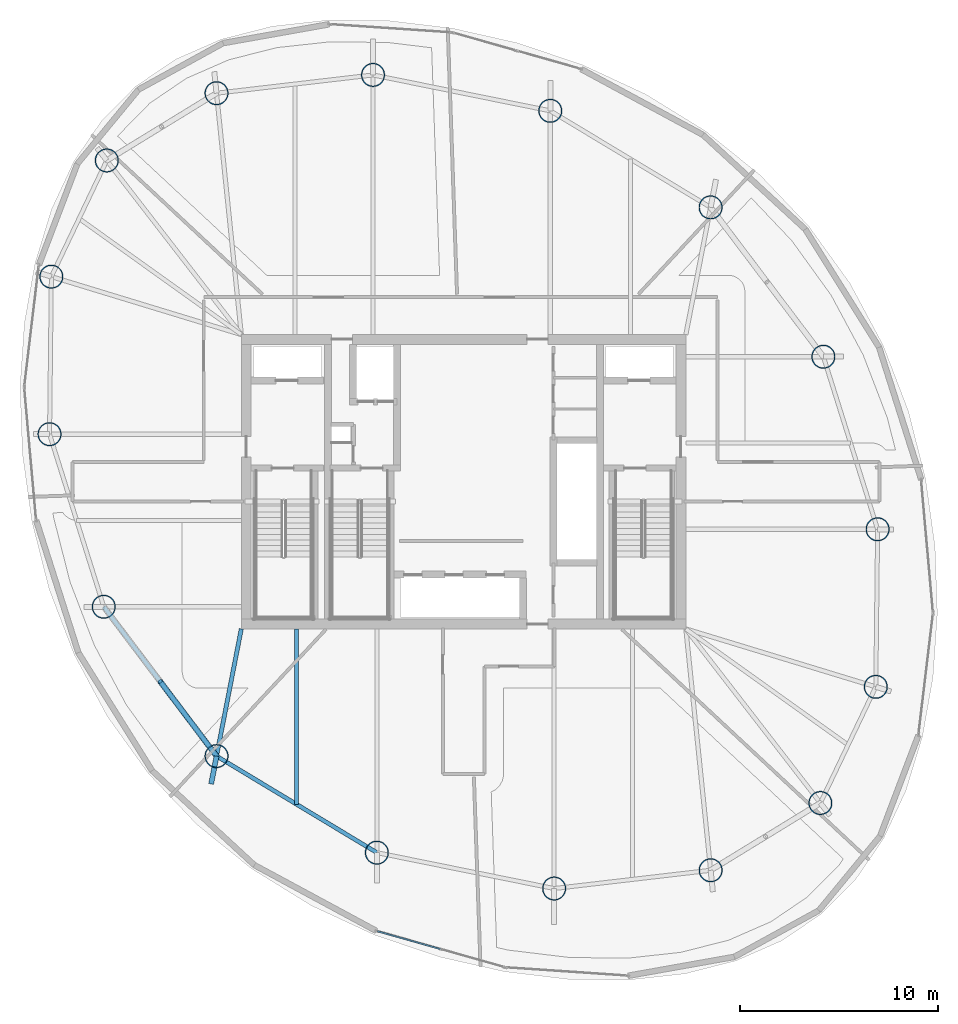
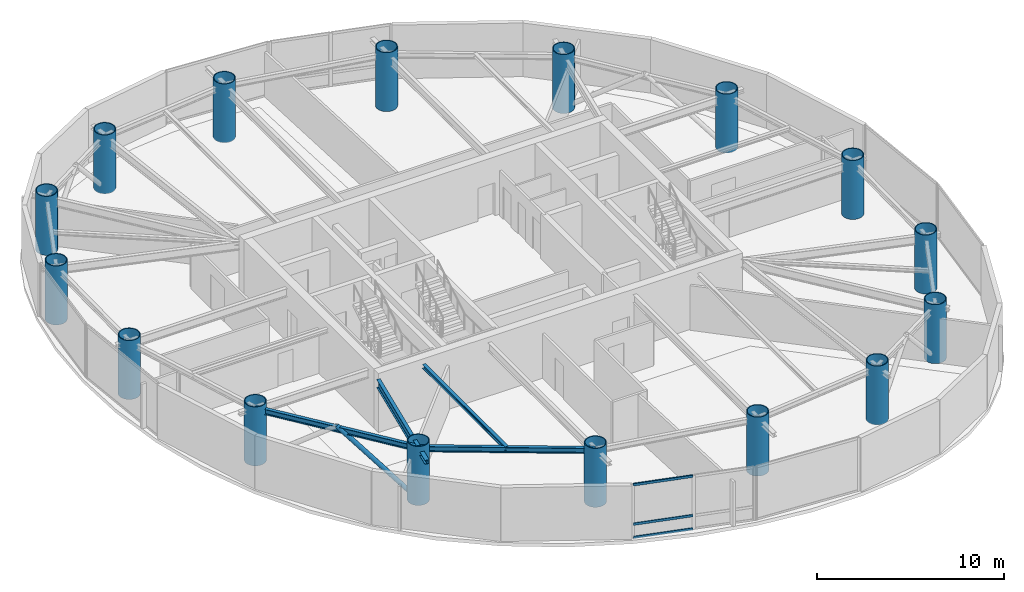
# One storey, part 1 of 18: 16 columns, 5 beams, 4 members, 1 element without a shape of its own.
"""IFC4 building model written with IfcOpenShell, lengths in metres."""

from ifc_helpers import new_model, si_unit, direction, frame, origin, origin_2d, place, context, subcontext, project, spatial, hollow_rectangle, hollow_circle, i_section, extrude, material, layer, layer_set, material_profile, profile_set, type_object, element, aggregate, save


model = new_model("IFC4")

# Units and contexts
model_context = context("Model", 3, precision=1e-05, world=origin(), true_north=direction((0.0, 1.0)))
body_context = subcontext(model_context, "Body", "Model", "MODEL_VIEW")
ifc_project = project(units=[si_unit("LENGTHUNIT", "METRE"), si_unit("AREAUNIT", "SQUARE_METRE"), si_unit("VOLUMEUNIT", "CUBIC_METRE"), si_unit("PLANEANGLEUNIT", "RADIAN"), si_unit("MASSUNIT", "GRAM", prefix="KILO")], contexts=[model_context])

# Site, building, storey
site_placement = place(None, origin())
site = spatial("IfcSite", under=ifc_project, at=site_placement, CompositionType="ELEMENT")
building_placement = place(site_placement, origin())
building = spatial("IfcBuilding", under=site, at=building_placement, Name="Bramvorn Convention Spire", CompositionType="ELEMENT")
storey_placement = place(building_placement, frame((0.0, 0.0, 232.800048828125)))
storey = spatial("IfcBuildingStorey", under=building, at=storey_placement, Name="L59", CompositionType="ELEMENT", Elevation=232.800048828125)

# Columns
ifc_material_1 = material(Name="Steel CSA G40.21 Grade 350 (350W)", Category="steel")
ifc_material_profile_1 = material_profile(ifc_material_1, hollow_circle(Radius=0.60009765625, WallThickness=0.050048828125, at=origin_2d()))
ifc_profile_set_1 = profile_set([ifc_material_profile_1], Name="Steel CSA G40.21 Grade 350 (350W) - CFT1200X50")
column_type = type_object("IfcColumnType", Name="COL-CFT1200X50", PredefinedType="COLUMN", material=ifc_profile_set_1)
for number, where, z_axis, x_axis, name in (
    (1, (56.058349609375, 9.739990234375, 0.0), (0.0, 0.0, 1.0), (1.0, 0.0, 0.0), "L59 composite CFT mega-column MC01"),
    (2, (58.863037109375, 15.619384765625, 0.0), (0.0, 0.0, 1.0), (1.0, 0.0, 0.0), "L59 composite CFT mega-column MC02"),
    (3, (58.95458984375, 23.593505859375, 0.0), (0.0, 0.0, 1.0), (1.0, 0.0, 0.0), "L59 composite CFT mega-column MC03"),
    (4, (56.21044921875, 32.327392578125, 0.0), (0.0, 0.0, 1.0), (1.0, 0.0, 0.0), "L59 composite CFT mega-column MC04"),
    (5, (50.501953125, 39.885009765625, 0.0), (0.0, 0.0, 1.0), (1.0, 0.0, 0.0), "L59 composite CFT mega-column MC05"),
    (6, (42.38916015625, 44.772216796875, 0.0), (0.0, 0.0, 1.0), (1.0, 0.0, 0.0), "L59 composite CFT mega-column MC06"),
    (7, (33.416259765625, 46.58837890625, 0.0), (0.0, 0.0, 1.0), (1.0, 0.0, 0.0), "L59 composite CFT mega-column MC07"),
    (8, (25.49560546875, 45.663818359375, 0.0), (0.0, 0.0, 1.0), (1.0, 0.0, 0.0), "L59 composite CFT mega-column MC08"),
    (9, (19.941650390625, 42.260009765625, 0.0), (0.0, 0.0, 1.0), (1.0, 0.0, 0.0), "L59 composite CFT mega-column MC09"),
    (10, (17.136962890625, 36.380615234375, 0.0), (0.0, 0.0, 1.0), (1.0, 0.0, 0.0), "L59 composite CFT mega-column MC10"),
    (11, (17.04541015625, 28.406494140625, 0.0), (0.0, 0.0, 1.0), (1.0, 0.0, 0.0), "L59 composite CFT mega-column MC11"),
    (12, (19.78955078125, 19.672607421875, 0.0), (0.0, 0.0, 1.0), (1.0, 0.0, 0.0), "L59 composite CFT mega-column MC12"),
    (13, (25.498046875, 12.114990234375, 0.0), (0.0, 0.0, 1.0), (1.0, 0.0, 0.0), "L59 composite CFT mega-column MC13"),
    (14, (33.61083984375, 7.227783203125, 0.0), (0.0, 0.0, 1.0), (1.0, 0.0, 0.0), "L59 composite CFT mega-column MC14"),
    (15, (42.583740234375, 5.41162109375, 0.0), (0.0, 0.0, 1.0), (1.0, 0.0, 0.0), "L59 composite CFT mega-column MC15"),
    (16, (50.50439453125, 6.336181640625, 0.0), (0.0, 0.0, 1.0), (1.0, 0.0, 0.0), "L59 composite CFT mega-column MC16"),
):
    element("IfcColumn", number, at=place(storey_placement, frame(where, z_axis=z_axis, x_axis=x_axis)), inside=storey, type_object=column_type, Name=name, PredefinedType="COLUMN", context=body_context, shape_type="SweptSolid", body=[
        extrude(hollow_circle(Radius=0.60009765625, WallThickness=0.050048828125, at=origin_2d()), origin(), (0.0, 0.0, 1.0), 3.849853515625),
    ])

# Beams
ifc_material_profile_2 = material_profile(ifc_material_1, i_section(OverallWidth=0.201904296875, OverallDepth=0.2470703125, WebThickness=0.00732421875, FlangeThickness=0.010986328125, FilletRadius=0.011962890625, at=origin_2d()))
ifc_profile_set_2 = profile_set([ifc_material_profile_2], Name="Steel CSA G40.21 Grade 350 (350W) - W250X49")
beam_type_1 = type_object("IfcBeamType", Name="BM-W250X49", PredefinedType="JOIST", material=ifc_profile_set_2)
beam_1_placement = place(storey_placement, frame((29.554443359375, 18.550048828125, 3.37646484375), z_axis=(0.0, -1.0, 0.0), x_axis=(1.0, 0.0, 0.0)))
element("IfcBeam", 17, at=beam_1_placement, inside=storey, type_object=beam_type_1, Name="L59 composite floor joist 13", PredefinedType="JOIST", context=body_context, shape_type="SweptSolid", body=[
    extrude(i_section(OverallWidth=0.201904296875, OverallDepth=0.2470703125, WebThickness=0.00732421875, FlangeThickness=0.010986328125, FilletRadius=0.011962890625, at=origin_2d()), origin(), (0.0, 0.0, 1.0), 8.878662109375),
])
ifc_material_profile_3 = material_profile(ifc_material_1, i_section(OverallWidth=0.25390625, OverallDepth=0.2529296875, WebThickness=0.008544921875, FlangeThickness=0.01416015625, FilletRadius=0.011962890625, at=origin_2d()))
ifc_profile_set_3 = profile_set([ifc_material_profile_3], Name="Steel CSA G40.21 Grade 350 (350W) - W250X73")
beam_type_2 = type_object("IfcBeamType", Name="BM-W250X73", PredefinedType="BEAM", material=ifc_profile_set_3)
beam_2_placement = place(storey_placement, frame((25.498046875, 12.114990234375, 3.37353515625), z_axis=(-0.19108332694, -0.98157381901, 0.0), x_axis=(0.98157381901, -0.19108332694, 0.0)))
element("IfcBeam", 18, at=beam_2_placement, inside=storey, type_object=beam_type_2, Name="L59 slab-edge cantilever tip beam MC13", PredefinedType="BEAM", context=body_context, shape_type="SweptSolid", body=[
    extrude(i_section(OverallWidth=0.25390625, OverallDepth=0.2529296875, WebThickness=0.008544921875, FlangeThickness=0.01416015625, FilletRadius=0.011962890625, at=origin_2d()), origin(), (0.0, 0.0, 1.0), 1.437255859375),
])
ifc_material_profile_4 = material_profile(ifc_material_1, i_section(OverallWidth=0.205078125, OverallDepth=0.35400390625, WebThickness=0.009521484375, FlangeThickness=0.016845703125, FilletRadius=0.014892578125, at=origin_2d()))
ifc_profile_set_4 = profile_set([ifc_material_profile_4], Name="Steel CSA G40.21 Grade 350 (350W) - W360X79")
beam_type_3 = type_object("IfcBeamType", Name="BM-W360X79", PredefinedType="JOIST", material=ifc_profile_set_4)
for number, where, z_axis, x_axis, name in (
    (19, (19.78955078125, 19.672607421875, 3.322998046875), (0.602718581414, -0.797953827999, 0.0), (0.797953827999, 0.602718581414, 0.0), "L59 mega-column ring beam 12"),
    (20, (25.498046875, 12.114990234375, 3.322998046875), (0.856581795745, -0.516011266543, 0.0), (0.516011266543, 0.856581795745, 0.0), "L59 mega-column ring beam 13"),
):
    element("IfcBeam", number, at=place(storey_placement, frame(where, z_axis=z_axis, x_axis=x_axis)), inside=storey, type_object=beam_type_3, Name=name, PredefinedType="JOIST", context=body_context, shape_type="SweptSolid", body=[
        extrude(i_section(OverallWidth=0.205078125, OverallDepth=0.35400390625, WebThickness=0.009521484375, FlangeThickness=0.016845703125, FilletRadius=0.014892578125, at=origin_2d()), origin(), (0.0, 0.0, 1.0), 9.47119140625),
    ])
ifc_material_profile_5 = material_profile(ifc_material_1, i_section(OverallWidth=0.2119140625, OverallDepth=0.5439453125, WebThickness=0.01318359375, FlangeThickness=0.021240234375, FilletRadius=0.01904296875, at=origin_2d()))
ifc_profile_set_5 = profile_set([ifc_material_profile_5], Name="Steel CSA G40.21 Grade 350 (350W) - W530X123")
beam_type_4 = type_object("IfcBeamType", Name="BM-W530X123", PredefinedType="BEAM", material=ifc_profile_set_5)
beam_3_placement = place(storey_placement, frame((26.75, 18.550048828125, 3.22802734375), z_axis=(-0.190971329886, -0.981595614885, 0.0), x_axis=(0.981595614885, -0.190971329886, 0.0)))
element("IfcBeam", 21, at=beam_3_placement, inside=storey, type_object=beam_type_4, Name="L59 radial floor girder MC13", PredefinedType="BEAM", context=body_context, shape_type="SweptSolid", body=[
    extrude(i_section(OverallWidth=0.2119140625, OverallDepth=0.5439453125, WebThickness=0.01318359375, FlangeThickness=0.021240234375, FilletRadius=0.01904296875, at=origin_2d()), origin(), (0.0, 0.0, 1.0), 6.5556640625),
])

# Curtain wall, members
ifc_material_2 = material(Name="Anodised Bronze Unitised Curtain Wall", Category="aluminium")
ifc_layer = layer(ifc_material_2, 0.179931640625)
ifc_layer_set = layer_set([ifc_layer], Name="Anodised Bronze Unitised Curtain Wall - CW-OFF-FRIT")
curtain_wall_type = type_object("IfcCurtainWallType", Name="CW-OFF-FRIT", PredefinedType="USERDEFINED", material=ifc_layer_set)
curtain_wall_placement = place(storey_placement, origin())
curtain_wall = element("IfcCurtainWall", 22, at=curtain_wall_placement, inside=storey, type_object=curtain_wall_type, Name="L59 fritted glass curtain wall 21", ObjectType="UNITISED CURTAIN WALL", PredefinedType="USERDEFINED")
ifc_material_3 = material(Name="Anodised Bronze Aluminium 6063-T6", Category="aluminium")
ifc_material_profile_6 = material_profile(ifc_material_3, hollow_rectangle(XDim=0.080078125, YDim=0.159912109375, WallThickness=0.00390625, InnerFilletRadius=0.0009765625, OuterFilletRadius=0.00390625, at=origin_2d()))
ifc_profile_set_6 = profile_set([ifc_material_profile_6], Name="Anodised Bronze Aluminium 6063-T6 - CWT80X160")
member_type_1 = type_object("IfcMemberType", Name="CW-TRN-150", PredefinedType="USERDEFINED", material=ifc_profile_set_6)
member_1_placement = place(storey_placement, frame((36.82275390625, 2.348876953125, 0.030029296875), z_axis=(-0.96224039472, 0.272201070479, 0.0), x_axis=(-0.272201070479, -0.96224039472, 0.0)))
member_1 = element("IfcMember", 23, at=member_1_placement, type_object=member_type_1, Name="CW3 transom 2.1", ObjectType="TRANSOM", PredefinedType="USERDEFINED", context=body_context, shape_type="SweptSolid", body=[
    extrude(hollow_rectangle(XDim=0.080078125, YDim=0.159912109375, WallThickness=0.00390625, InnerFilletRadius=0.0009765625, OuterFilletRadius=0.00390625, at=origin_2d()), origin(), (0.0, 0.0, 1.0), 3.302490234375),
])
member_2_placement = place(storey_placement, frame((36.82275390625, 2.348876953125, 0.89990234375), z_axis=(-0.96224039472, 0.272201070479, 0.0), x_axis=(-0.272201070479, -0.96224039472, 0.0)))
member_2 = element("IfcMember", 24, at=member_2_placement, type_object=member_type_1, Name="CW3 transom 2.2", ObjectType="TRANSOM", PredefinedType="USERDEFINED", context=body_context, shape_type="SweptSolid", body=[
    extrude(hollow_rectangle(XDim=0.080078125, YDim=0.159912109375, WallThickness=0.00390625, InnerFilletRadius=0.0009765625, OuterFilletRadius=0.00390625, at=origin_2d()), origin(), (0.0, 0.0, 1.0), 3.302490234375),
])
member_3_placement = place(storey_placement, frame((36.82275390625, 2.348876953125, 3.469970703125), z_axis=(-0.96224039472, 0.272201070479, 0.0), x_axis=(-0.272201070479, -0.96224039472, 0.0)))
member_3 = element("IfcMember", 25, at=member_3_placement, type_object=member_type_1, Name="CW3 transom 2.3", ObjectType="TRANSOM", PredefinedType="USERDEFINED", context=body_context, shape_type="SweptSolid", body=[
    extrude(hollow_rectangle(XDim=0.080078125, YDim=0.159912109375, WallThickness=0.00390625, InnerFilletRadius=0.0009765625, OuterFilletRadius=0.00390625, at=origin_2d()), origin(), (0.0, 0.0, 1.0), 3.302490234375),
])
aggregate(curtain_wall, [member_1, member_2, member_3])

# Member
ifc_material_profile_7 = material_profile(ifc_material_1, hollow_circle(Radius=0.136474609375, WallThickness=0.0126953125, at=origin_2d()))
ifc_profile_set_7 = profile_set([ifc_material_profile_7], Name="Steel CSA G40.21 Grade 350 (350W) - CHS273X13")
member_type_2 = type_object("IfcMemberType", Name="MBR-CHS273X13", PredefinedType="BRACE", material=ifc_profile_set_7)
member_4_placement = place(storey_placement, frame((25.498046875, 12.114990234375, 0.0), z_axis=(-0.484703799944, 0.641711180869, 0.594364355145), x_axis=(-0.797953827999, -0.602718581414, 0.0)))
element("IfcMember", 26, at=member_4_placement, inside=storey, type_object=member_type_2, Name="L59 perimeter Gothic lancet brace 12B", PredefinedType="BRACE", context=body_context, shape_type="SweptSolid", body=[
    extrude(hollow_circle(Radius=0.136474609375, WallThickness=0.0126953125, at=origin_2d()), origin(), (0.0, 0.0, 1.0), 5.888671875),
])

save(model, "model.ifc")
